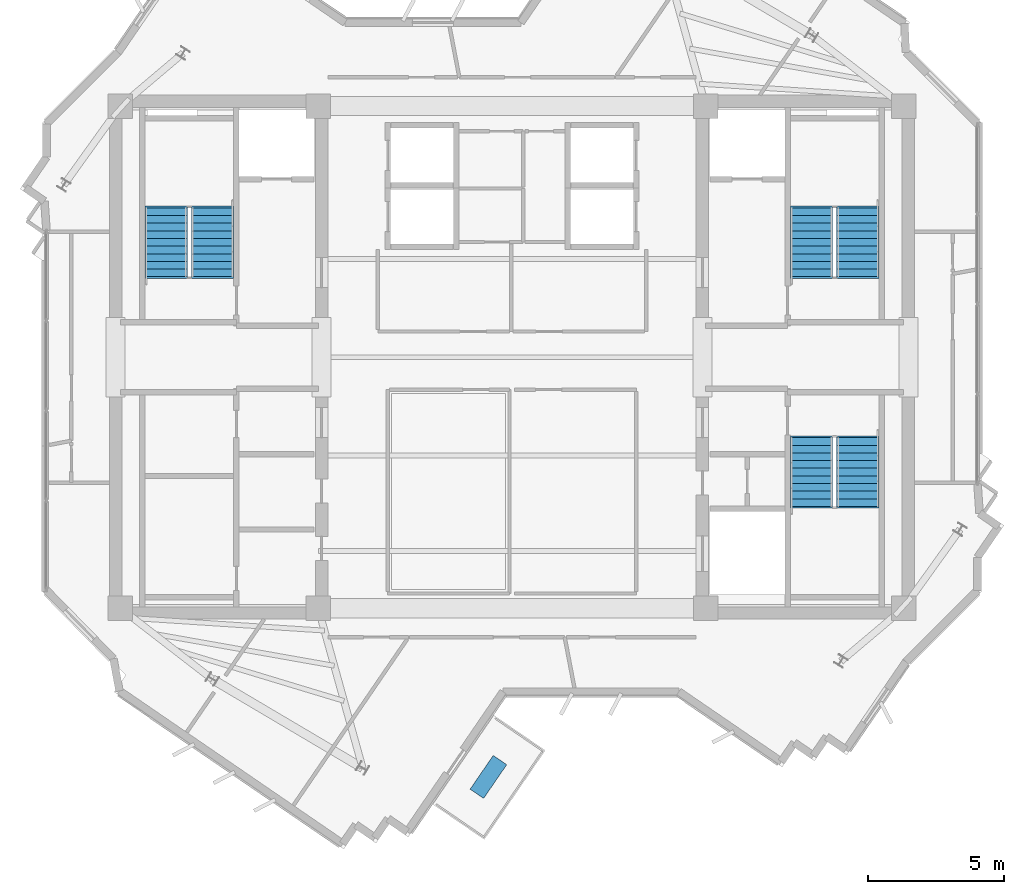
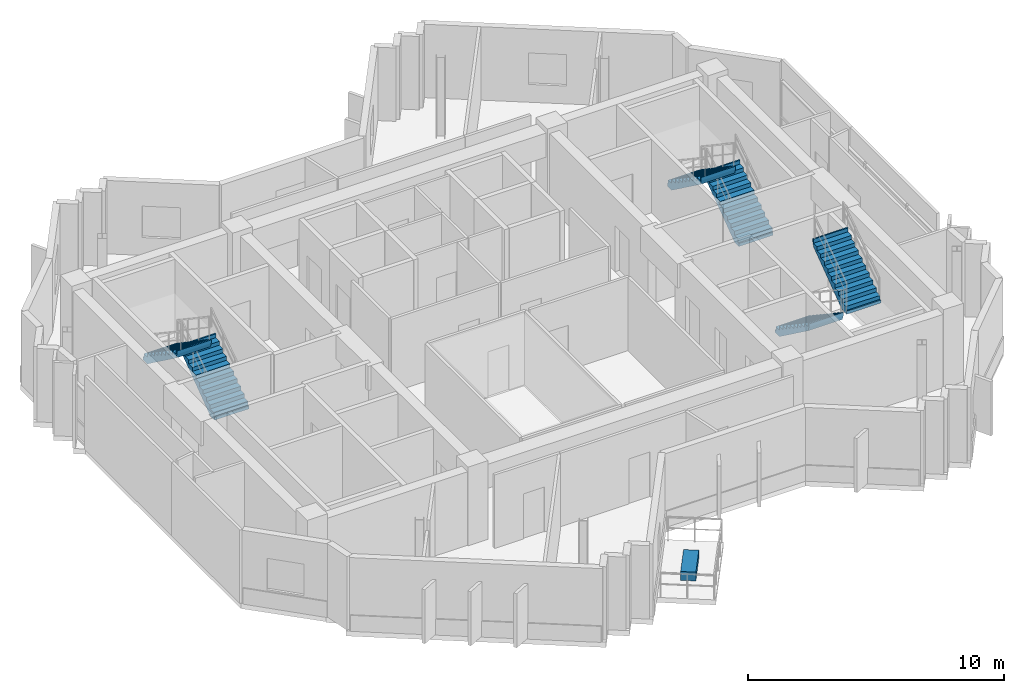
# One storey, part 9 of 11: 6 stair flights, 1 discrete accessory, 3 elements without a shape of their own.
"""IFC4 building model written with IfcOpenShell, lengths in metres."""

import ifcopenshell
import ifcopenshell.guid

model = None  # the IFC model being written
_history = None  # IfcOwnerHistory: only IFC2X3 demands one
_inside = {}  # id of a spatial element -> (the spatial element, [elements in it])
_under = {}  # id of a project, library or spatial element -> (it, [spatial elements below it])
_declared = {}  # id of a project -> (the project, [libraries it declares])
_typed = {}  # id of a type object -> (the type object, [elements of that type])
_made_of = {}  # id of a material, layer set ... -> (it, [elements and type objects made of it])


def new_model(schema):
    """Start an empty IFC model of exactly this schema.

    Asked for "IFC4X3", IfcOpenShell would pick the latest addendum, in which some entities
    have other attributes; the version numbers below select the first issue.
    IFC2X3 requires an IfcOwnerHistory on every rooted entity: one is made here for all.
    """
    global model, _history
    if schema == "IFC4X3":
        model = ifcopenshell.file(schema_version=(4, 3, 0, 0))
    else:
        model = ifcopenshell.file(schema=schema)
    _inside.clear()
    _under.clear()
    _declared.clear()
    _typed.clear()
    _made_of.clear()
    _history = None
    if model.schema == "IFC2X3":
        org = make("IfcOrganization", Name="unknown")
        user = make(
            "IfcPersonAndOrganization",
            ThePerson=make("IfcPerson", FamilyName="unknown"),
            TheOrganization=org,
        )
        app = make(
            "IfcApplication",
            ApplicationDeveloper=org,
            Version="unknown",
            ApplicationFullName="unknown",
            ApplicationIdentifier="unknown",
        )
        _history = make(
            "IfcOwnerHistory",
            OwningUser=user,
            OwningApplication=app,
            ChangeAction="ADDED",
            CreationDate=0,
        )
    return model


def make(cls, **values):
    """One entity of the class cls with the attributes given. An attribute that is None is left unset."""
    return model.create_entity(
        cls, **{name: value for name, value in values.items() if value is not None}
    )


def rooted(cls, **values):
    """An entity with a GlobalId (a new one), such as an element, a storey or a relation."""
    return make(cls, GlobalId=ifcopenshell.guid.new(), OwnerHistory=_history, **values)


def si_unit(unit_type, name, prefix=None):
    """IfcSIUnit, for example si_unit("LENGTHUNIT", "METRE", prefix="MILLI")."""
    return make("IfcSIUnit", UnitType=unit_type, Prefix=prefix, Name=name)


def assignment(units):
    """IfcUnitAssignment: the units of a project."""
    return None if units is None else make("IfcUnitAssignment", Units=units)


def point(xyz):
    """IfcCartesianPoint."""
    return None if xyz is None else make("IfcCartesianPoint", Coordinates=xyz)


def direction(xyz):
    """IfcDirection."""
    return None if xyz is None else make("IfcDirection", DirectionRatios=xyz)


def frame(location, z_axis=None, x_axis=None):
    """IfcAxis2Placement3D, a coordinate frame: its origin and axes. An axis left out is left unset."""
    return make(
        "IfcAxis2Placement3D",
        Location=point(location),
        Axis=direction(z_axis),
        RefDirection=direction(x_axis),
    )


def frame_2d(location, x_axis=None):
    """IfcAxis2Placement2D, a coordinate frame in the plane: its origin and x axis."""
    return make(
        "IfcAxis2Placement2D", Location=point(location), RefDirection=direction(x_axis)
    )


def origin():
    """The frame at (0, 0, 0) with its axes left unset."""
    return frame((0.0, 0.0, 0.0))


def origin_2d():
    """The frame at (0, 0) in the plane with its x axis left unset."""
    return frame_2d((0.0, 0.0))


def place(relative_to, where):
    """IfcLocalPlacement: puts the frame where relative to a parent placement (None: the world)."""
    return make(
        "IfcLocalPlacement", PlacementRelTo=relative_to, RelativePlacement=where
    )


def context(
    kind, dimensions, precision=None, world=None, true_north=None, identifier=None
):
    """IfcGeometricRepresentationContext, for example the 3D "Model" context."""
    return make(
        "IfcGeometricRepresentationContext",
        ContextIdentifier=identifier,
        ContextType=kind,
        CoordinateSpaceDimension=dimensions,
        Precision=precision,
        WorldCoordinateSystem=world,
        TrueNorth=true_north,
    )


def subcontext(parent, identifier, kind, view, scale=None):
    """IfcGeometricRepresentationSubContext, for example "Body" below "Model"."""
    return make(
        "IfcGeometricRepresentationSubContext",
        ContextIdentifier=identifier,
        ContextType=kind,
        ParentContext=parent,
        TargetScale=scale,
        TargetView=view,
    )


def project(units=None, contexts=None):
    """IfcProject with its units and contexts."""
    return rooted(
        "IfcProject",
        Name="project",
        RepresentationContexts=contexts,
        UnitsInContext=assignment(units),
    )


def spatial(cls, under=None, at=None, **own):
    """A site, building, storey or space (cls), placed at a placement, below another one or the project."""
    s = rooted(cls, ObjectPlacement=at, **own)
    if under is not None:
        _under.setdefault(under.id(), (under, []))[1].append(s)
    return s


def polyline(points):
    """IfcPolyline through the points."""
    return make("IfcPolyline", Points=[point(p) for p in points])


def profile(cls, at=None, kind="AREA", **sizes):
    """A parametric profile (cls). Its sizes go by their IFC names, for example OverallWidth=200.0."""
    return make(cls, ProfileType=kind, Position=at, **sizes)


def rectangle(**sizes):
    """IfcRectangleProfileDef."""
    return profile("IfcRectangleProfileDef", **sizes)


def outline(outer, holes=None, kind="AREA"):
    """IfcArbitraryClosedProfileDef: a profile drawn as a closed curve; with holes, ...WithVoids."""
    if holes is None:
        return make("IfcArbitraryClosedProfileDef", ProfileType=kind, OuterCurve=outer)
    return make(
        "IfcArbitraryProfileDefWithVoids",
        ProfileType=kind,
        OuterCurve=outer,
        InnerCurves=holes,
    )


def extrude(swept, where, along, depth):
    """IfcExtrudedAreaSolid: the profile swept, set in the frame where, extruded along a direction by depth."""
    return make(
        "IfcExtrudedAreaSolid",
        SweptArea=swept,
        Position=where,
        ExtrudedDirection=direction(along),
        Depth=depth,
    )


def shape(context_of_items, identifier, shape_type, items):
    """IfcShapeRepresentation: the items that make up one representation, for example the "Body"."""
    return make(
        "IfcShapeRepresentation",
        ContextOfItems=context_of_items,
        RepresentationIdentifier=identifier,
        RepresentationType=shape_type,
        Items=items,
    )


def source(mapping_origin, context_of_items, identifier, shape_type, items):
    """IfcRepresentationMap: a shape defined once, which mapped items show again and again."""
    return make(
        "IfcRepresentationMap",
        MappingOrigin=mapping_origin,
        MappedRepresentation=shape(context_of_items, identifier, shape_type, items),
    )


def transform(
    local_origin,
    x_axis=None,
    y_axis=None,
    z_axis=None,
    scale=None,
    scale2=None,
    scale3=None,
    uniform=True,
):
    """IfcCartesianTransformationOperator3D, or its non-uniform kind. x_axis, y_axis, z_axis: its Axis1, 2, 3."""
    if uniform:
        return make(
            "IfcCartesianTransformationOperator3D",
            Axis1=direction(x_axis),
            Axis2=direction(y_axis),
            LocalOrigin=point(local_origin),
            Scale=scale,
            Axis3=direction(z_axis),
        )
    return make(
        "IfcCartesianTransformationOperator3DnonUniform",
        Axis1=direction(x_axis),
        Axis2=direction(y_axis),
        LocalOrigin=point(local_origin),
        Scale=scale,
        Axis3=direction(z_axis),
        Scale2=scale2,
        Scale3=scale3,
    )


def mapped(mapping_source, mapping_target):
    """IfcMappedItem: shows the shape of a source again, moved by a transform."""
    return make(
        "IfcMappedItem", MappingSource=mapping_source, MappingTarget=mapping_target
    )


def material(Name=None, Category=None):
    """IfcMaterial."""
    return make("IfcMaterial", Name=Name, Category=Category)


def made_of(thing, what):
    """Note that an element or type object is made of a material, layer set ...; save() writes the relation."""
    if what is not None:
        _made_of.setdefault(what.id(), (what, []))[1].append(thing)
    return thing


def type_object(cls, material=None, **own):
    """A type object (cls), such as IfcWallType, which elements share."""
    return made_of(rooted(cls, **own), material)


def element(
    cls,
    number,
    at=None,
    inside=None,
    cuts=None,
    type_object=None,
    material=None,
    context=None,
    identifier="Body",
    shape_type=None,
    held_by="IfcProductDefinitionShape",
    body=None,
    shapes=None,
    **own,
):
    """One element of the class cls, such as IfcWall. Its Tag is "e" and its number.

    at: its placement. inside: the storey or other place that contains it. cuts: it is an
    opening in that element (IfcRelVoidsElement). A single representation is given by context,
    identifier, shape_type and body (its items); several are given by shapes. held_by: the class
    of the entity that holds the representations. save() writes the other relations.
    """
    e = rooted(cls, Tag="e%d" % number, ObjectPlacement=at, **own)
    if body is not None:
        shapes = [shape(context, identifier, shape_type, body)]
    if shapes is not None:
        e.Representation = make(held_by, Representations=shapes)
    if inside is not None:
        _inside.setdefault(inside.id(), (inside, []))[1].append(e)
    if cuts is not None:
        rooted(
            "IfcRelVoidsElement", RelatingBuildingElement=cuts, RelatedOpeningElement=e
        )
    if type_object is not None:
        _typed.setdefault(type_object.id(), (type_object, []))[1].append(e)
    return made_of(e, material)


def aggregate(whole, parts):
    """IfcRelAggregates: a whole, such as a stair, and the parts it consists of."""
    return rooted("IfcRelAggregates", RelatingObject=whole, RelatedObjects=parts)


def save(model, path):
    """Write the relations noted so far, then the file.

    IfcRelAggregates (storeys below a building ...), IfcRelContainedInSpatialStructure (elements
    in a storey), IfcRelDefinesByType, IfcRelAssociatesMaterial and IfcRelDeclares: one each for
    every whole, place, type object, material and project.
    """
    for whole, parts in _under.values():
        aggregate(whole, parts)
    for where, things in _inside.values():
        rooted(
            "IfcRelContainedInSpatialStructure",
            RelatedElements=things,
            RelatingStructure=where,
        )
    for kind, things in _typed.values():
        rooted("IfcRelDefinesByType", RelatedObjects=things, RelatingType=kind)
    for what, things in _made_of.values():
        rooted("IfcRelAssociatesMaterial", RelatedObjects=things, RelatingMaterial=what)
    for by, libraries in _declared.values():
        rooted("IfcRelDeclares", RelatingContext=by, RelatedDefinitions=libraries)
    model.write(path)


model = new_model("IFC4")

# Units and contexts
model_context = context("Model", 3, precision=1e-05, world=origin(), true_north=direction((0.0, 1.0)))
body_context = subcontext(model_context, "Body", "Model", "MODEL_VIEW")
ifc_project = project(units=[si_unit("LENGTHUNIT", "METRE"), si_unit("AREAUNIT", "SQUARE_METRE"), si_unit("VOLUMEUNIT", "CUBIC_METRE"), si_unit("PLANEANGLEUNIT", "RADIAN"), si_unit("MASSUNIT", "GRAM", prefix="KILO")], contexts=[model_context])

# Site, building, storey
site_placement = place(None, origin())
site = spatial("IfcSite", under=ifc_project, at=site_placement, CompositionType="ELEMENT")
building_placement = place(site_placement, origin())
building = spatial("IfcBuilding", under=site, at=building_placement, Name="Zahravan Cultural Tower", CompositionType="ELEMENT")
storey_placement = place(building_placement, frame((0.0, 0.0, 338.550048828125)))
storey = spatial("IfcBuildingStorey", under=building, at=storey_placement, Name="L82", CompositionType="ELEMENT", Elevation=338.550048828125)

# Stair, stair flights
ifc_material_1 = material(Name="Concrete C45/55", Category="concrete")
stair_type = type_object("IfcStairType", Name="STR-DL-1550-375", PredefinedType="HALF_TURN_STAIR", material=ifc_material_1)
stair_1_placement = place(storey_placement, origin())
stair_1 = element("IfcStair", 1, at=stair_1_placement, inside=storey, type_object=stair_type, Name="L82 West Core North Exit Stair ST-W1", PredefinedType="HALF_TURN_STAIR")
stair_flight_type = type_object("IfcStairFlightType", Name="FLG-DL-1550-375", PredefinedType="STRAIGHT", material=ifc_material_1)
stair_flight_1_placement = place(storey_placement, frame((25.02490234375, 29.949951171875, 0.0), z_axis=(0.0, 0.0, 1.0), x_axis=(0.0, 1.0, 0.0)))
stair_flight_1 = element("IfcStairFlight", 2, at=stair_flight_1_placement, type_object=stair_flight_type, Name="ST-W1 flight 1", NumberOfRisers=10, NumberOfTreads=9, PredefinedType="STRAIGHT", RiserHeight=0.1875, TreadLength=0.28, context=body_context, shape_type="SweptSolid", body=[
    extrude(outline(polyline([(-0.06494140625, -0.139892578125), (-0.06494140625, 0.0), (0.0, 0.0), (0.0, 0.1875), (0.280029296875, 0.1875), (0.280029296875, 0.375), (0.56005859375, 0.375), (0.56005859375, 0.5625), (0.840087890625, 0.5625), (0.840087890625, 0.75), (1.1201171875, 0.75), (1.1201171875, 0.9375), (1.39990234375, 0.9375), (1.39990234375, 1.125), (1.679931640625, 1.125), (1.679931640625, 1.3125), (1.9599609375, 1.3125), (1.9599609375, 1.5), (2.239990234375, 1.5), (2.239990234375, 1.6875), (2.52001953125, 1.6875), (2.52001953125, 1.875), (2.5849609375, 1.875), (2.5849609375, 1.72509765625), (2.52001953125, 1.507080078125), (0.26953125, -0.139892578125), (-0.06494140625, -0.139892578125)])), frame((0.0, 0.77490234375, 0.0), z_axis=(0.0, -1.0, 0.0), x_axis=(1.0, 0.0, 0.0)), (0.0, 0.0, 1.0), 1.550048828125),
])
stair_flight_2_placement = place(storey_placement, frame((23.324951171875, 32.469970703125, 1.875), z_axis=(0.0, 0.0, 1.0), x_axis=(0.0, -1.0, 0.0)))
stair_flight_2 = element("IfcStairFlight", 3, at=stair_flight_2_placement, type_object=stair_flight_type, Name="ST-W1 flight 2", NumberOfRisers=10, NumberOfTreads=9, PredefinedType="STRAIGHT", RiserHeight=0.1875, TreadLength=0.28, context=body_context, shape_type="SweptSolid", body=[
    extrude(outline(polyline([(-0.06494140625, -0.139892578125), (-0.06494140625, 0.0), (0.0, 0.0), (0.0, 0.1875), (0.280029296875, 0.1875), (0.280029296875, 0.375), (0.56005859375, 0.375), (0.56005859375, 0.5625), (0.840087890625, 0.5625), (0.840087890625, 0.75), (1.1201171875, 0.75), (1.1201171875, 0.9375), (1.39990234375, 0.9375), (1.39990234375, 1.125), (1.679931640625, 1.125), (1.679931640625, 1.3125), (1.9599609375, 1.3125), (1.9599609375, 1.5), (2.239990234375, 1.5), (2.239990234375, 1.6875), (2.52001953125, 1.6875), (2.52001953125, 1.875), (2.5849609375, 1.875), (2.5849609375, 1.72509765625), (2.52001953125, 1.507080078125), (0.26953125, -0.139892578125), (-0.06494140625, -0.139892578125)])), frame((0.0, 0.77490234375, 0.0), z_axis=(0.0, -1.0, 0.0), x_axis=(1.0, 0.0, 0.0)), (0.0, 0.0, 1.0), 1.550048828125),
])
aggregate(stair_1, [stair_flight_1, stair_flight_2])

stair_2_placement = place(storey_placement, origin())
stair_2 = element("IfcStair", 4, at=stair_2_placement, inside=storey, type_object=stair_type, Name="L82 East Core North Exit Stair ST-E1", PredefinedType="HALF_TURN_STAIR")
stair_flight_3_placement = place(storey_placement, frame((48.675048828125, 29.949951171875, 0.0), z_axis=(0.0, 0.0, 1.0), x_axis=(0.0, 1.0, 0.0)))
stair_flight_3 = element("IfcStairFlight", 5, at=stair_flight_3_placement, type_object=stair_flight_type, Name="ST-E1 flight 1", NumberOfRisers=10, NumberOfTreads=9, PredefinedType="STRAIGHT", RiserHeight=0.1875, TreadLength=0.28, context=body_context, shape_type="SweptSolid", body=[
    extrude(outline(polyline([(-0.06494140625, -0.139892578125), (-0.06494140625, 0.0), (0.0, 0.0), (0.0, 0.1875), (0.280029296875, 0.1875), (0.280029296875, 0.375), (0.56005859375, 0.375), (0.56005859375, 0.5625), (0.840087890625, 0.5625), (0.840087890625, 0.75), (1.1201171875, 0.75), (1.1201171875, 0.9375), (1.39990234375, 0.9375), (1.39990234375, 1.125), (1.679931640625, 1.125), (1.679931640625, 1.3125), (1.9599609375, 1.3125), (1.9599609375, 1.5), (2.239990234375, 1.5), (2.239990234375, 1.6875), (2.52001953125, 1.6875), (2.52001953125, 1.875), (2.5849609375, 1.875), (2.5849609375, 1.72509765625), (2.52001953125, 1.507080078125), (0.26953125, -0.139892578125), (-0.06494140625, -0.139892578125)])), frame((0.0, 0.77490234375, 0.0), z_axis=(0.0, -1.0, 0.0), x_axis=(1.0, 0.0, 0.0)), (0.0, 0.0, 1.0), 1.550048828125),
])
stair_flight_4_placement = place(storey_placement, frame((46.97509765625, 32.469970703125, 1.875), z_axis=(0.0, 0.0, 1.0), x_axis=(0.0, -1.0, 0.0)))
stair_flight_4 = element("IfcStairFlight", 6, at=stair_flight_4_placement, type_object=stair_flight_type, Name="ST-E1 flight 2", NumberOfRisers=10, NumberOfTreads=9, PredefinedType="STRAIGHT", RiserHeight=0.1875, TreadLength=0.28, context=body_context, shape_type="SweptSolid", body=[
    extrude(outline(polyline([(-0.06494140625, -0.139892578125), (-0.06494140625, 0.0), (0.0, 0.0), (0.0, 0.1875), (0.280029296875, 0.1875), (0.280029296875, 0.375), (0.56005859375, 0.375), (0.56005859375, 0.5625), (0.840087890625, 0.5625), (0.840087890625, 0.75), (1.1201171875, 0.75), (1.1201171875, 0.9375), (1.39990234375, 0.9375), (1.39990234375, 1.125), (1.679931640625, 1.125), (1.679931640625, 1.3125), (1.9599609375, 1.3125), (1.9599609375, 1.5), (2.239990234375, 1.5), (2.239990234375, 1.6875), (2.52001953125, 1.6875), (2.52001953125, 1.875), (2.5849609375, 1.875), (2.5849609375, 1.72509765625), (2.52001953125, 1.507080078125), (0.26953125, -0.139892578125), (-0.06494140625, -0.139892578125)])), frame((0.0, 0.77490234375, 0.0), z_axis=(0.0, -1.0, 0.0), x_axis=(1.0, 0.0, 0.0)), (0.0, 0.0, 1.0), 1.550048828125),
])
aggregate(stair_2, [stair_flight_3, stair_flight_4])

stair_3_placement = place(storey_placement, origin())
stair_3 = element("IfcStair", 7, at=stair_3_placement, inside=storey, type_object=stair_type, Name="L82 East Core South Exit Stair ST-E2", PredefinedType="HALF_TURN_STAIR")
stair_flight_5_placement = place(storey_placement, frame((46.97509765625, 24.050048828125, 0.0), z_axis=(0.0, 0.0, 1.0), x_axis=(0.0, -1.0, 0.0)))
stair_flight_5 = element("IfcStairFlight", 8, at=stair_flight_5_placement, type_object=stair_flight_type, Name="ST-E2 flight 1", NumberOfRisers=10, NumberOfTreads=9, PredefinedType="STRAIGHT", RiserHeight=0.1875, TreadLength=0.28, context=body_context, shape_type="SweptSolid", body=[
    extrude(outline(polyline([(-0.06494140625, -0.139892578125), (-0.06494140625, 0.0), (0.0, 0.0), (0.0, 0.1875), (0.280029296875, 0.1875), (0.280029296875, 0.375), (0.56005859375, 0.375), (0.56005859375, 0.5625), (0.840087890625, 0.5625), (0.840087890625, 0.75), (1.1201171875, 0.75), (1.1201171875, 0.9375), (1.39990234375, 0.9375), (1.39990234375, 1.125), (1.679931640625, 1.125), (1.679931640625, 1.3125), (1.9599609375, 1.3125), (1.9599609375, 1.5), (2.239990234375, 1.5), (2.239990234375, 1.6875), (2.52001953125, 1.6875), (2.52001953125, 1.875), (2.5849609375, 1.875), (2.5849609375, 1.72509765625), (2.52001953125, 1.507080078125), (0.26953125, -0.139892578125), (-0.06494140625, -0.139892578125)])), frame((0.0, 0.77490234375, 0.0), z_axis=(0.0, -1.0, 0.0), x_axis=(1.0, 0.0, 0.0)), (0.0, 0.0, 1.0), 1.550048828125),
])
stair_flight_6_placement = place(storey_placement, frame((48.675048828125, 21.530029296875, 1.875), z_axis=(0.0, 0.0, 1.0), x_axis=(0.0, 1.0, 0.0)))
stair_flight_6 = element("IfcStairFlight", 9, at=stair_flight_6_placement, type_object=stair_flight_type, Name="ST-E2 flight 2", NumberOfRisers=10, NumberOfTreads=9, PredefinedType="STRAIGHT", RiserHeight=0.1875, TreadLength=0.28, context=body_context, shape_type="SweptSolid", body=[
    extrude(outline(polyline([(-0.06494140625, -0.139892578125), (-0.06494140625, 0.0), (0.0, 0.0), (0.0, 0.1875), (0.280029296875, 0.1875), (0.280029296875, 0.375), (0.56005859375, 0.375), (0.56005859375, 0.5625), (0.840087890625, 0.5625), (0.840087890625, 0.75), (1.1201171875, 0.75), (1.1201171875, 0.9375), (1.39990234375, 0.9375), (1.39990234375, 1.125), (1.679931640625, 1.125), (1.679931640625, 1.3125), (1.9599609375, 1.3125), (1.9599609375, 1.5), (2.239990234375, 1.5), (2.239990234375, 1.6875), (2.52001953125, 1.6875), (2.52001953125, 1.875), (2.5849609375, 1.875), (2.5849609375, 1.72509765625), (2.52001953125, 1.507080078125), (0.26953125, -0.139892578125), (-0.06494140625, -0.139892578125)])), frame((0.0, 0.77490234375, 0.0), z_axis=(0.0, -1.0, 0.0), x_axis=(1.0, 0.0, 0.0)), (0.0, 0.0, 1.0), 1.550048828125),
])
aggregate(stair_3, [stair_flight_5, stair_flight_6])

# Discrete accessory
ifc_material_2 = material(Name="Planted soil and terracotta planter", Category="masonry")
discrete_accessory_type = type_object("IfcDiscreteAccessoryType", Name="ACC-PLANTER-TC", PredefinedType="USERDEFINED", material=ifc_material_2)
shared_shape = source(origin(), body_context, "Body", "SweptSolid", [
    extrude(rectangle(XDim=1.5, YDim=0.60009765625, at=origin_2d()), origin(), (0.0, 0.0, 1.0), 0.419921875),
])
discrete_accessory_placement = place(storey_placement, frame((35.135986328125, 11.617919921875, 0.0), z_axis=(0.0, 0.0, 1.0), x_axis=(0.564967003425, 0.825113498278, 0.0)))
element("IfcDiscreteAccessory", 10, at=discrete_accessory_placement, inside=storey, type_object=discrete_accessory_type, Name="L82 Terracotta Sculpture Planter SW", ObjectType="PLANTER", PredefinedType="USERDEFINED", context=body_context, shape_type="MappedRepresentation", body=[
    mapped(shared_shape, transform((0.0, 0.0, 0.0), x_axis=(1.0, 0.0, 0.0), y_axis=(0.0, 1.0, 0.0), z_axis=(0.0, 0.0, 1.0), scale=1.0)),
])

save(model, "model.ifc")
